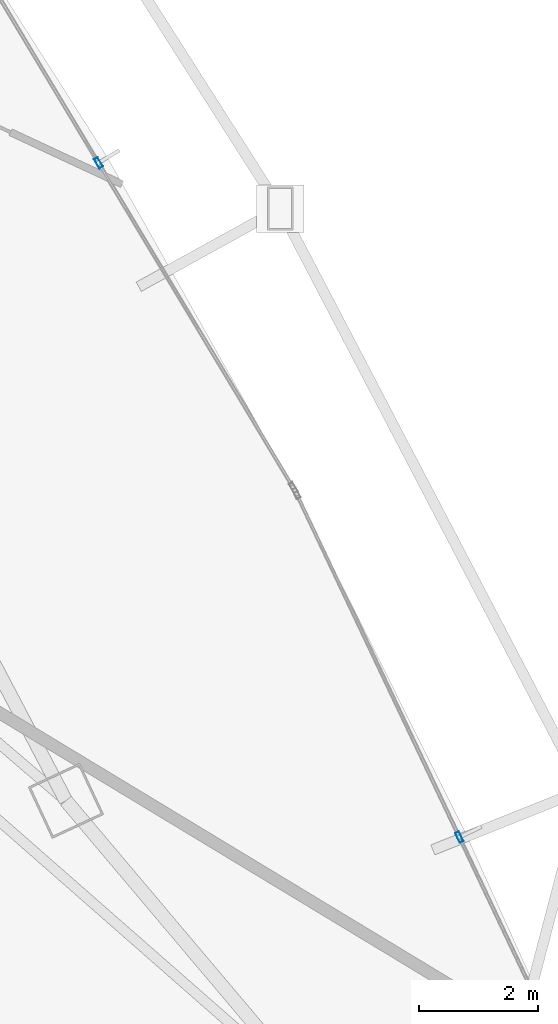
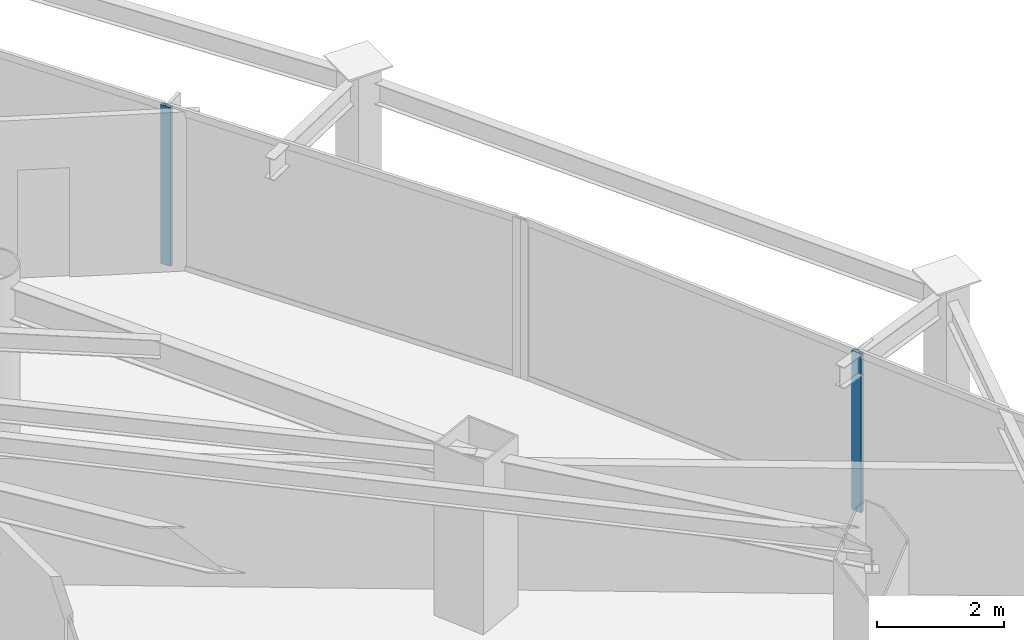
# One storey, part 20 of 38: 2 members, 2 elements without a shape of their own.
"""IFC4 building model written with IfcOpenShell, lengths in metres."""

from ifc_helpers import new_model, si_unit, direction, frame, origin, origin_2d, place, context, subcontext, project, spatial, hollow_rectangle, extrude, material, layer, layer_set, material_profile, profile_set, type_object, element, aggregate, save


model = new_model("IFC4")

# Units and contexts
model_context = context("Model", 3, precision=1e-05, world=origin(), true_north=direction((0.0, 1.0)))
body_context = subcontext(model_context, "Body", "Model", "MODEL_VIEW")
ifc_project = project(units=[si_unit("LENGTHUNIT", "METRE"), si_unit("AREAUNIT", "SQUARE_METRE"), si_unit("VOLUMEUNIT", "CUBIC_METRE"), si_unit("PLANEANGLEUNIT", "RADIAN"), si_unit("MASSUNIT", "GRAM", prefix="KILO")], contexts=[model_context])

# Site, building, storey
site_placement = place(None, origin())
site = spatial("IfcSite", under=ifc_project, at=site_placement, CompositionType="ELEMENT")
building_placement = place(site_placement, origin())
building = spatial("IfcBuilding", under=site, at=building_placement, Name="Orvanel Arch Residences", CompositionType="ELEMENT")
storey_placement = place(building_placement, frame((0.0, 0.0, 50.0)))
storey = spatial("IfcBuildingStorey", under=building, at=storey_placement, Name="L13", CompositionType="ELEMENT", Elevation=50.0)

# Curtain wall, member
ifc_material = material(Name="Bronze-anodised aluminium AA6063-T6", Category="aluminium")
ifc_layer = layer(ifc_material, 0.179931640625)
ifc_layer_set = layer_set([ifc_layer], Name="Bronze-anodised aluminium AA6063-T6")
curtain_wall_type = type_object("IfcCurtainWallType", Name="CW2-LOW-SYS", PredefinedType="NOTDEFINED", material=ifc_layer_set)
curtain_wall_1_placement = place(storey_placement, origin())
curtain_wall_1 = element("IfcCurtainWall", 1, at=curtain_wall_1_placement, inside=storey, type_object=curtain_wall_type, Name="L13 CW2-LOW-SYS Unitised Curtain Wall", PredefinedType="NOTDEFINED")
ifc_material_profile = material_profile(ifc_material, hollow_rectangle(XDim=0.070068359375, YDim=0.179931640625, WallThickness=0.00439453125, at=origin_2d()), Name="ALU180x70x4.5")
ifc_profile_set = profile_set([ifc_material_profile], Name="Bronze-anodised aluminium AA6063-T6")
member_type = type_object("IfcMemberType", Name="MUL-180x70", PredefinedType="MULLION", material=ifc_profile_set)
member_1_placement = place(storey_placement, frame((56.221923828125, 19.033447265625, 0.0), z_axis=(0.0, 0.0, 1.0), x_axis=(-0.903580469731, -0.42841841081, 0.0)))
member_1 = element("IfcMember", 2, at=member_1_placement, type_object=member_type, Name="CW-S2 mullion 2", PredefinedType="MULLION", context=body_context, shape_type="SweptSolid", body=[
    extrude(hollow_rectangle(XDim=0.070068359375, YDim=0.179931640625, WallThickness=0.00439453125, at=origin_2d()), origin(), (0.0, 0.0, 1.0), 3.06005859375),
])
aggregate(curtain_wall_1, [member_1])

curtain_wall_2_placement = place(storey_placement, origin())
curtain_wall_2 = element("IfcCurtainWall", 3, at=curtain_wall_2_placement, inside=storey, type_object=curtain_wall_type, Name="L13 CW2-LOW-SYS Unitised Curtain Wall", PredefinedType="NOTDEFINED")
member_2_placement = place(storey_placement, frame((50.177978515625, 30.326416015625, 0.0), z_axis=(0.0, 0.0, 1.0), x_axis=(-0.857569020053, -0.514368910263, 0.0)))
member_2 = element("IfcMember", 4, at=member_2_placement, type_object=member_type, Name="CW-S2 mullion 2", PredefinedType="MULLION", context=body_context, shape_type="SweptSolid", body=[
    extrude(hollow_rectangle(XDim=0.070068359375, YDim=0.179931640625, WallThickness=0.00439453125, at=origin_2d()), origin(), (0.0, 0.0, 1.0), 3.06005859375),
])
aggregate(curtain_wall_2, [member_2])

save(model, "model.ifc")
